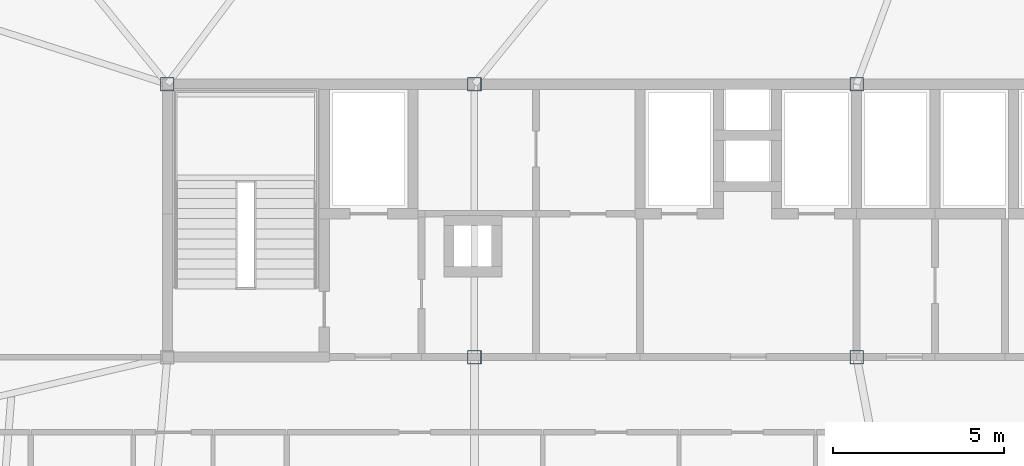
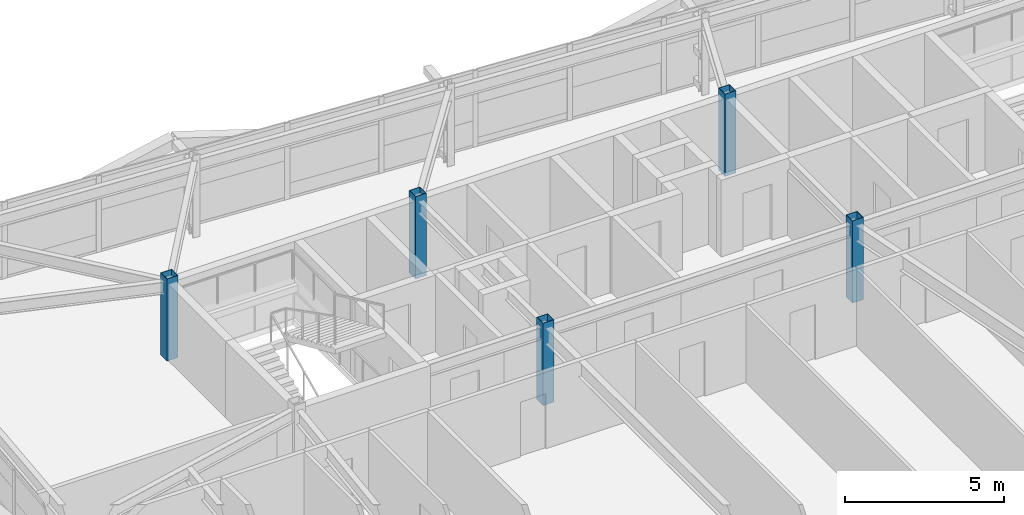
# One storey, part 2 of 47: 5 columns.
"""IFC4 building model written with IfcOpenShell, lengths in metres."""

from ifc_helpers import new_model, si_unit, direction, frame, origin, origin_2d, place, context, subcontext, project, spatial, hollow_rectangle, extrude, source, transform, mapped, material, material_profile, profile_set, type_object, element, save


model = new_model("IFC4")

# Units and contexts
model_context = context("Model", 3, precision=1e-05, world=origin(), true_north=direction((0.0, 1.0)))
body_context = subcontext(model_context, "Body", "Model", "MODEL_VIEW")
ifc_project = project(units=[si_unit("LENGTHUNIT", "METRE"), si_unit("AREAUNIT", "SQUARE_METRE"), si_unit("VOLUMEUNIT", "CUBIC_METRE"), si_unit("PLANEANGLEUNIT", "RADIAN"), si_unit("MASSUNIT", "GRAM", prefix="KILO")], contexts=[model_context])

# Site, building, storey
site_placement = place(None, origin())
site = spatial("IfcSite", under=ifc_project, at=site_placement, CompositionType="ELEMENT")
building_placement = place(site_placement, origin())
building = spatial("IfcBuilding", under=site, at=building_placement, Name="Taldren Reach Tower", CompositionType="ELEMENT")
storey_placement = place(building_placement, frame((0.0, 0.0, 139.300048828125)))
storey = spatial("IfcBuildingStorey", under=building, at=storey_placement, Name="L42", CompositionType="ELEMENT", Elevation=139.300048828125)

# Columns
ifc_material = material(Name="Steel Gr 450 (C450L0)", Category="steel")
ifc_material_profile = material_profile(ifc_material, hollow_rectangle(XDim=0.39990234375, YDim=0.39990234375, WallThickness=0.01611328125, at=origin_2d()), Name="400x400x16.0SHS")
ifc_profile_set = profile_set([ifc_material_profile], Name="Steel Gr 450 (C450L0)")
column_type = type_object("IfcColumnType", Name="COL-SHS400", PredefinedType="COLUMN", material=ifc_profile_set)
shared_shape = source(origin(), body_context, "Body", "SweptSolid", [
    extrude(hollow_rectangle(XDim=0.39990234375, YDim=0.39990234375, WallThickness=0.01611328125, at=origin_2d()), origin(), (0.0, 0.0, 1.0), 3.14990234375),
])
for number, where, z_axis, x_axis, name in (
    (1, (28.0, 24.0, 0.0), (0.0, 0.0, 1.0), (1.0, 0.0, 0.0), "Mega column MC-C2 L42"),
    (2, (39.199951171875, 24.0, 0.0), (0.0, 0.0, 1.0), (1.0, 0.0, 0.0), "Mega column MC-C3 L42"),
    (3, (19.0, 32.0, 0.0), (0.0, 0.0, 1.0), (1.0, 0.0, 0.0), "Mega column MC-C5 L42"),
    (4, (28.0, 32.0, 0.0), (0.0, 0.0, 1.0), (1.0, 0.0, 0.0), "Mega column MC-C6 L42"),
    (5, (39.199951171875, 32.0, 0.0), (0.0, 0.0, 1.0), (1.0, 0.0, 0.0), "Mega column MC-C7 L42"),
):
    element("IfcColumn", number, at=place(storey_placement, frame(where, z_axis=z_axis, x_axis=x_axis)), inside=storey, type_object=column_type, Name=name, PredefinedType="COLUMN", context=body_context, shape_type="MappedRepresentation", body=[
        mapped(shared_shape, transform((0.0, 0.0, 0.0), scale=1.0)),
    ])

save(model, "model.ifc")
